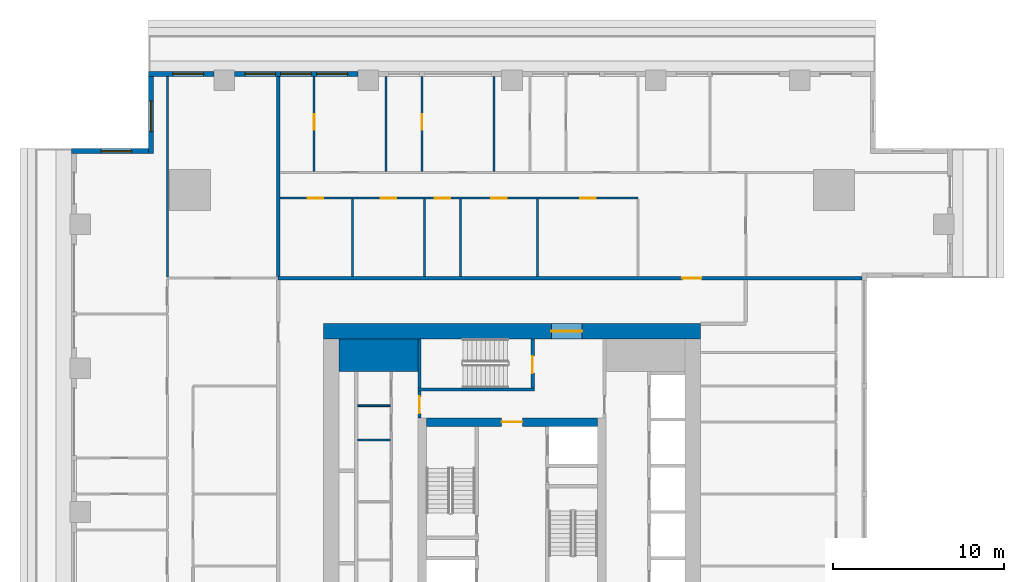
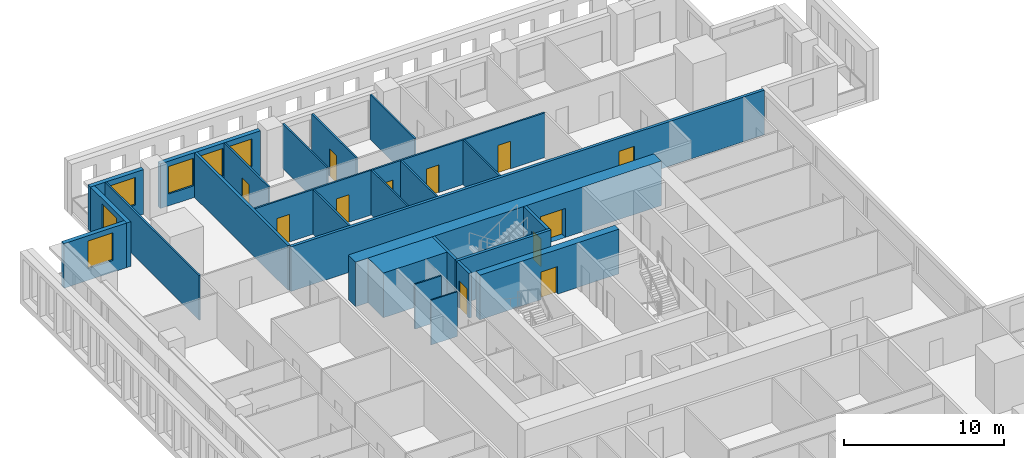
# One storey, part 7 of 15: 25 walls, 12 doors, 6 windows, 18 openings.
"""IFC4 building model written with IfcOpenShell, lengths in metres."""

from ifc_helpers import new_model, si_unit, direction, frame, frame_2d, origin, place, context, subcontext, project, spatial, rectangle, extrude, material, layer, layer_set, type_object, element, fill, save


model = new_model("IFC4")

# Units and contexts
model_context = context("Model", 3, precision=1e-05, world=origin(), true_north=direction((0.0, 1.0)))
body_context = subcontext(model_context, "Body", "Model", "MODEL_VIEW")
ifc_project = project(units=[si_unit("LENGTHUNIT", "METRE"), si_unit("AREAUNIT", "SQUARE_METRE"), si_unit("VOLUMEUNIT", "CUBIC_METRE"), si_unit("PLANEANGLEUNIT", "RADIAN"), si_unit("MASSUNIT", "GRAM", prefix="KILO")], contexts=[model_context])

# Site, building, storey
site_placement = place(None, origin())
site = spatial("IfcSite", under=ifc_project, at=site_placement, CompositionType="ELEMENT")
building_placement = place(site_placement, origin())
building = spatial("IfcBuilding", under=site, at=building_placement, Name="Khepri Terraces", CompositionType="ELEMENT")
storey_placement = place(building_placement, frame((0.0, 0.0, 231.300048828125)))
storey = spatial("IfcBuildingStorey", under=building, at=storey_placement, Name="L55", CompositionType="ELEMENT", Elevation=231.300048828125)

# Walls
ifc_material_1 = material(Name="Concrete C50/60", Category="concrete")
ifc_layer_1 = layer(ifc_material_1, 1.89990234375, Name="Concrete C50/60", Category="concrete")
ifc_layer_set_1 = layer_set([ifc_layer_1], Name="Concrete C50/60")
wall_type_1 = type_object("IfcWallType", Name="Core wall 1900 C50/60", PredefinedType="SHEAR", material=ifc_layer_set_1)
wall_1_placement = place(storey_placement, frame((-10.10009765625, 9.14990234375, 0.0), z_axis=(0.0, 0.0, 1.0), x_axis=(1.0, 0.0, 0.0)))
element("IfcWall", 1, at=wall_1_placement, inside=storey, type_object=wall_type_1, Name="Core wall PR03 L55", PredefinedType="SHEAR", context=body_context, shape_type="SweptSolid", body=[
    extrude(rectangle(XDim=4.60009765625, YDim=1.89990234375, at=frame_2d((2.300048828125, 0.0))), origin(), (0.0, 0.0, 1.0), 3.39990234375),
])
ifc_layer_2 = layer(ifc_material_1, 0.199951171875, Name="Concrete C50/60", Category="concrete")
ifc_layer_set_2 = layer_set([ifc_layer_2], Name="Concrete C50/60")
wall_type_2 = type_object("IfcWallType", Name="Core wall 200 C50/60", PredefinedType="SHEAR", material=ifc_layer_set_2)
wall_2_placement = place(storey_placement, frame((-5.5, 7.14990234375, 0.0), z_axis=(0.0, 0.0, 1.0), x_axis=(1.0, 0.0, 0.0)))
element("IfcWall", 2, at=wall_2_placement, inside=storey, type_object=wall_type_2, Name="Core wall ST05 L55", PredefinedType="SHEAR", context=body_context, shape_type="SweptSolid", body=[
    extrude(rectangle(XDim=6.800048828125, YDim=0.199951171875, at=frame_2d((3.39990234375, 0.0))), origin(), (0.0, 0.0, 1.0), 3.39990234375),
])
wall_3_placement = place(storey_placement, frame((-5.39990234375, 7.25, 0.0), z_axis=(0.0, 0.0, 1.0), x_axis=(0.0, 1.0, 0.0)))
element("IfcWall", 3, at=wall_3_placement, inside=storey, type_object=wall_type_2, Name="Core wall ST06 L55", PredefinedType="SHEAR", context=body_context, shape_type="SweptSolid", body=[
    extrude(rectangle(XDim=2.85009765625, YDim=0.199951171875, at=frame_2d((1.425048828125, 0.0))), origin(), (0.0, 0.0, 1.0), 3.39990234375),
])

# Wall, opening, door
wall_4_placement = place(storey_placement, frame((1.199951171875, 7.25, 0.0), z_axis=(0.0, 0.0, 1.0), x_axis=(0.0, 1.0, 0.0)))
wall_4 = element("IfcWall", 4, at=wall_4_placement, inside=storey, type_object=wall_type_2, Name="Core wall ST07 L55", PredefinedType="SHEAR", context=body_context, shape_type="SweptSolid", body=[
    extrude(rectangle(XDim=2.85009765625, YDim=0.199951171875, at=frame_2d((1.425048828125, 0.0))), origin(), (0.0, 0.0, 1.0), 3.39990234375),
])
opening_1_placement = place(wall_4_placement, frame((0.85009765625, 0.0, 0.0)))
opening_1 = element("IfcOpeningElement", 5, at=opening_1_placement, cuts=wall_4, Name="Opening L55-C15", PredefinedType="OPENING", context=body_context, shape_type="SweptSolid", body=[
    extrude(rectangle(XDim=1.0, YDim=2.10009765625, at=frame_2d((0.5, 1.050048828125))), frame((0.0, 0.10986328125, 0.0), z_axis=(0.0, -1.0, 0.0), x_axis=(1.0, 0.0, 0.0)), (0.0, 0.0, 1.0), 0.219970703125),
])
ifc_material_2 = material(Name="Painted steel", Category="steel")
door_type_1 = type_object("IfcDoorType", Name="DR-CORE-STAIR-1000", OperationType="NOTDEFINED", PredefinedType="DOOR", material=ifc_material_2)
door_1_placement = place(opening_1_placement, origin())
door_1 = element("IfcDoor", 6, at=door_1_placement, inside=storey, type_object=door_type_1, Name="Stair door L55-C15", OperationType="SINGLE_SWING_LEFT", OverallHeight=2.10009765625, OverallWidth=1.0, PredefinedType="DOOR", context=body_context, shape_type="SweptSolid", body=[
    extrude(rectangle(XDim=1.0, YDim=2.10009765625, at=frame_2d((0.5, 1.050048828125))), frame((0.0, 0.02490234375, 0.0), z_axis=(0.0, -1.0, 0.0), x_axis=(1.0, 0.0, 0.0)), (0.0, 0.0, 1.0), 0.050048828125),
])
fill(opening_1, door_1)

ifc_layer_3 = layer(ifc_material_1, 0.5, Name="Concrete C50/60", Category="concrete")
ifc_layer_set_3 = layer_set([ifc_layer_3], Name="Concrete C50/60")
wall_type_3 = type_object("IfcWallType", Name="Core wall 500 C50/60", PredefinedType="SHEAR", material=ifc_layer_set_3)
wall_5_placement = place(storey_placement, frame((-5.0, 5.25, 0.0), z_axis=(0.0, 0.0, 1.0), x_axis=(1.0, 0.0, 0.0)))
wall_5 = element("IfcWall", 7, at=wall_5_placement, inside=storey, type_object=wall_type_3, Name="Core wall BX04 L55", PredefinedType="SHEAR", context=body_context, shape_type="SweptSolid", body=[
    extrude(rectangle(XDim=10.0, YDim=0.5, at=frame_2d((5.0, 0.0))), origin(), (0.0, 0.0, 1.0), 3.39990234375),
])
opening_2_placement = place(wall_5_placement, frame((4.39990234375, 0.0, 0.0)))
opening_2 = element("IfcOpeningElement", 8, at=opening_2_placement, cuts=wall_5, Name="Opening L55-C13", PredefinedType="OPENING", context=body_context, shape_type="SweptSolid", body=[
    extrude(rectangle(XDim=1.199951171875, YDim=2.10009765625, at=frame_2d((0.60009765625, 1.050048828125))), frame((0.0, 0.260009765625, 0.0), z_axis=(0.0, -1.0, 0.0), x_axis=(1.0, 0.0, 0.0)), (0.0, 0.0, 1.0), 0.52001953125),
])
door_type_2 = type_object("IfcDoorType", Name="DR-CORE-FF-LOBBY-1200", OperationType="NOTDEFINED", PredefinedType="DOOR", material=ifc_material_2)
door_2_placement = place(opening_2_placement, frame((1.199951171875, 0.0, 0.0), z_axis=(0.0, 0.0, 1.0), x_axis=(-1.0, 0.0, 0.0)))
door_2 = element("IfcDoor", 9, at=door_2_placement, inside=storey, type_object=door_type_2, Name="Firefighting lobby door L55-C13", OperationType="SINGLE_SWING_LEFT", OverallHeight=2.10009765625, OverallWidth=1.199951171875, PredefinedType="DOOR", context=body_context, shape_type="SweptSolid", body=[
    extrude(rectangle(XDim=1.199951171875, YDim=2.10009765625, at=frame_2d((0.60009765625, 1.050048828125))), frame((0.0, 0.02490234375, 0.0), z_axis=(0.0, -1.0, 0.0), x_axis=(1.0, 0.0, 0.0)), (0.0, 0.0, 1.0), 0.050048828125),
])
fill(opening_2, door_2)

ifc_layer_4 = layer(ifc_material_1, 0.89990234375, Name="Concrete C50/60", Category="concrete")
ifc_layer_set_4 = layer_set([ifc_layer_4], Name="Concrete C50/60")
wall_type_4 = type_object("IfcWallType", Name="Core wall 900 C50/60", PredefinedType="SHEAR", material=ifc_layer_set_4)
wall_6_placement = place(storey_placement, frame((-11.0, 10.550048828125, 0.0), z_axis=(0.0, 0.0, 1.0), x_axis=(1.0, 0.0, 0.0)))
wall_6 = element("IfcWall", 10, at=wall_6_placement, inside=storey, type_object=wall_type_4, Name="Core wall OW-N L55", PredefinedType="SHEAR", context=body_context, shape_type="SweptSolid", body=[
    extrude(rectangle(XDim=22.0, YDim=0.89990234375, at=frame_2d((11.0, 0.0))), origin(), (0.0, 0.0, 1.0), 3.39990234375),
])
opening_3_placement = place(wall_6_placement, frame((13.300048828125, 0.0, 0.0)))
opening_3 = element("IfcOpeningElement", 11, at=opening_3_placement, cuts=wall_6, Name="Opening L55-C20", PredefinedType="OPENING", context=body_context, shape_type="SweptSolid", body=[
    extrude(rectangle(XDim=1.800048828125, YDim=2.199951171875, at=frame_2d((0.89990234375, 1.10009765625))), frame((0.0, 0.4599609375, 0.0), z_axis=(0.0, -1.0, 0.0), x_axis=(1.0, 0.0, 0.0)), (0.0, 0.0, 1.0), 0.919921875),
])
door_type_3 = type_object("IfcDoorType", Name="DR-CORE-ENTRANCE-1800", OperationType="NOTDEFINED", PredefinedType="DOOR", material=ifc_material_2)
door_3_placement = place(opening_3_placement, origin())
door_3 = element("IfcDoor", 12, at=door_3_placement, inside=storey, type_object=door_type_3, Name="Core entrance door pair L55-C20", OperationType="DOUBLE_DOOR_SINGLE_SWING", OverallHeight=2.199951171875, OverallWidth=1.800048828125, PredefinedType="DOOR", context=body_context, shape_type="SweptSolid", body=[
    extrude(rectangle(XDim=1.800048828125, YDim=2.199951171875, at=frame_2d((0.89990234375, 1.10009765625))), frame((0.0, 0.02490234375, 0.0), z_axis=(0.0, -1.0, 0.0), x_axis=(1.0, 0.0, 0.0)), (0.0, 0.0, 1.0), 0.050048828125),
])
fill(opening_3, door_3)

# Walls
ifc_material_3 = material(Name="Fire-rated gypsum board partition")
ifc_layer_5 = layer(ifc_material_3, 0.10009765625, Name="Fire-rated gypsum board partition")
ifc_layer_set_5 = layer_set([ifc_layer_5], Name="Fire-rated gypsum board partition")
wall_type_5 = type_object("IfcWallType", Name="WL-CORE-PART-100", PredefinedType="PARTITIONING", material=ifc_layer_set_5)
for number, where, z_axis, x_axis, name in (
    (13, (-9.0, 4.199951171875, 0.0), (0.0, 0.0, 1.0), (1.0, 0.0, 0.0), "Core partition PT11 L55"),
    (14, (-9.0, 6.199951171875, 0.0), (0.0, 0.0, 1.0), (1.0, 0.0, 0.0), "Core partition PT14 L55"),
):
    element("IfcWall", number, at=place(storey_placement, frame(where, z_axis=z_axis, x_axis=x_axis)), inside=storey, type_object=wall_type_5, Name=name, PredefinedType="PARTITIONING", context=body_context, shape_type="SweptSolid", body=[
        extrude(rectangle(XDim=1.89990234375, YDim=0.10009765625, at=frame_2d((0.949951171875, 0.0))), origin(), (0.0, 0.0, 1.0), 3.39990234375),
    ])

# Wall, opening, door
ifc_layer_6 = layer(ifc_material_3, 0.199951171875, Name="Fire-rated gypsum board partition")
ifc_layer_set_6 = layer_set([ifc_layer_6], Name="Fire-rated gypsum board partition")
wall_type_6 = type_object("IfcWallType", Name="WL-CORE-PART-200", PredefinedType="PARTITIONING", material=ifc_layer_set_6)
wall_7_placement = place(storey_placement, frame((-5.39990234375, 5.5, 0.0), z_axis=(0.0, 0.0, 1.0), x_axis=(0.0, 1.0, 0.0)))
wall_7 = element("IfcWall", 15, at=wall_7_placement, inside=storey, type_object=wall_type_6, Name="Core partition PT12 L55", PredefinedType="PARTITIONING", context=body_context, shape_type="SweptSolid", body=[
    extrude(rectangle(XDim=1.550048828125, YDim=0.199951171875, at=frame_2d((0.77490234375, 0.0))), origin(), (0.0, 0.0, 1.0), 3.39990234375),
])
opening_4_placement = place(wall_7_placement, frame((0.25, 0.0, 0.0)))
opening_4 = element("IfcOpeningElement", 16, at=opening_4_placement, cuts=wall_7, Name="Opening L55-C16", PredefinedType="OPENING", context=body_context, shape_type="SweptSolid", body=[
    extrude(rectangle(XDim=1.0, YDim=2.10009765625, at=frame_2d((0.5, 1.050048828125))), frame((0.0, 0.10986328125, 0.0), z_axis=(0.0, -1.0, 0.0), x_axis=(1.0, 0.0, 0.0)), (0.0, 0.0, 1.0), 0.219970703125),
])
door_type_4 = type_object("IfcDoorType", Name="DR-CORE-LOBBY-1000", OperationType="NOTDEFINED", PredefinedType="DOOR", material=ifc_material_2)
door_4_placement = place(opening_4_placement, frame((1.0, 0.0, 0.0), z_axis=(0.0, 0.0, 1.0), x_axis=(-1.0, 0.0, 0.0)))
door_4 = element("IfcDoor", 17, at=door_4_placement, inside=storey, type_object=door_type_4, Name="Lobby door L55-C16", OperationType="SINGLE_SWING_RIGHT", OverallHeight=2.10009765625, OverallWidth=1.0, PredefinedType="DOOR", context=body_context, shape_type="SweptSolid", body=[
    extrude(rectangle(XDim=1.0, YDim=2.10009765625, at=frame_2d((0.5, 1.050048828125))), frame((0.0, 0.02490234375, 0.0), z_axis=(0.0, -1.0, 0.0), x_axis=(1.0, 0.0, 0.0)), (0.0, 0.0, 1.0), 0.050048828125),
])
fill(opening_4, door_4)

ifc_material_4 = material(Name="Fire-rated gypsum plasterboard partition, mineral wool")
ifc_layer_7 = layer(ifc_material_4, 0.199951171875, Name="Fire-rated gypsum plasterboard partition, mineral wool")
ifc_layer_set_7 = layer_set([ifc_layer_7], Name="Fire-rated gypsum plasterboard partition, mineral wool")
wall_type_7 = type_object("IfcWallType", Name="WL-CORR-200", PredefinedType="PARTITIONING", material=ifc_layer_set_7)
wall_8_placement = place(storey_placement, frame((-13.64990234375, 13.64990234375, 0.0), z_axis=(0.0, 0.0, 1.0), x_axis=(1.0, 0.0, 0.0)))
wall_8 = element("IfcWall", 18, at=wall_8_placement, inside=storey, type_object=wall_type_7, Name="Partition P-069 L55", PredefinedType="PARTITIONING", context=body_context, shape_type="SweptSolid", body=[
    extrude(rectangle(XDim=34.06982421875, YDim=0.199951171875, at=frame_2d((17.034912109375, 0.0))), origin(), (0.0, 0.0, 1.0), 3.39990234375),
])
opening_5_placement = place(wall_8_placement, frame((23.60009765625, 0.0, 0.0)))
opening_5 = element("IfcOpeningElement", 19, at=opening_5_placement, cuts=wall_8, Name="Opening D1", PredefinedType="OPENING", context=body_context, shape_type="SweptSolid", body=[
    extrude(rectangle(XDim=1.10009765625, YDim=2.39990234375, at=frame_2d((0.550048828125, 1.199951171875))), frame((0.0, 0.10986328125, 0.0), z_axis=(0.0, -1.0, 0.0), x_axis=(1.0, 0.0, 0.0)), (0.0, 0.0, 1.0), 0.219970703125),
])
ifc_material_5 = material(Name="Solid-core timber door leaf, flat entrance door", Category="wood")
door_type_5 = type_object("IfcDoorType", Name="DR-ENT-1100", OperationType="NOTDEFINED", PredefinedType="DOOR", material=ifc_material_5)
door_5_placement = place(opening_5_placement, origin())
door_5 = element("IfcDoor", 20, at=door_5_placement, inside=storey, type_object=door_type_5, Name="Flat C1 entrance door", OperationType="SINGLE_SWING_RIGHT", OverallHeight=2.39990234375, OverallWidth=1.10009765625, PredefinedType="DOOR", context=body_context, shape_type="SweptSolid", body=[
    extrude(rectangle(XDim=1.10009765625, YDim=2.39990234375, at=frame_2d((0.550048828125, 1.199951171875))), frame((0.0, 0.02490234375, 0.0), z_axis=(0.0, -1.0, 0.0), x_axis=(1.0, 0.0, 0.0)), (0.0, 0.0, 1.0), 0.050048828125),
])
fill(opening_5, door_5)

# Wall
wall_9_placement = place(storey_placement, frame((-13.64990234375, 13.75, 0.0), z_axis=(0.0, 0.0, 1.0), x_axis=(0.0, 1.0, 0.0)))
element("IfcWall", 21, at=wall_9_placement, inside=storey, type_object=wall_type_7, Name="Partition P-071 L55", PredefinedType="PARTITIONING", context=body_context, shape_type="SweptSolid", body=[
    extrude(rectangle(XDim=11.669921875, YDim=0.199951171875, at=frame_2d((5.8349609375, 0.0))), origin(), (0.0, 0.0, 1.0), 3.39990234375),
])

# Wall, openings, windows
ifc_material_6 = material(Name="Precast concrete C50/60 warm stone", Category="masonry")
ifc_layer_8 = layer(ifc_material_6, 0.300048828125, Name="Precast concrete C50/60 warm stone", Category="masonry")
ifc_layer_set_8 = layer_set([ifc_layer_8], Name="Precast concrete C50/60 warm stone")
wall_type_8 = type_object("IfcWallType", Name="WL-EXT-PRECAST-300", PredefinedType="STANDARD", material=ifc_layer_set_8)
wall_10_placement = place(storey_placement, frame((-9.0, 25.570068359375, 0.0), z_axis=(0.0, 0.0, 1.0), x_axis=(-1.0, 0.0, 0.0)))
wall_10 = element("IfcWall", 22, at=wall_10_placement, inside=storey, type_object=wall_type_8, Name="External wall L55 N", PredefinedType="STANDARD", context=body_context, shape_type="SweptSolid", body=[
    extrude(rectangle(XDim=7.199951171875, YDim=0.300048828125, at=frame_2d((3.60009765625, 0.0))), origin(), (0.0, 0.0, 1.0), 3.39990234375),
])
opening_6_placement = place(wall_10_placement, frame((0.60009765625, 0.0, 0.89990234375)))
opening_6 = element("IfcOpeningElement", 23, at=opening_6_placement, cuts=wall_10, Name="Opening W1", PredefinedType="OPENING", context=body_context, shape_type="SweptSolid", body=[
    extrude(rectangle(XDim=1.800048828125, YDim=2.10009765625, at=frame_2d((0.89990234375, 1.050048828125))), frame((0.0, 0.16015625, 0.0), z_axis=(0.0, -1.0, 0.0), x_axis=(1.0, 0.0, 0.0)), (0.0, 0.0, 1.0), 0.320068359375),
])
opening_7_placement = place(wall_10_placement, frame((2.699951171875, 0.0, 0.89990234375)))
opening_7 = element("IfcOpeningElement", 24, at=opening_7_placement, cuts=wall_10, Name="Opening W1", PredefinedType="OPENING", context=body_context, shape_type="SweptSolid", body=[
    extrude(rectangle(XDim=1.800048828125, YDim=2.10009765625, at=frame_2d((0.89990234375, 1.050048828125))), frame((0.0, 0.16015625, 0.0), z_axis=(0.0, -1.0, 0.0), x_axis=(1.0, 0.0, 0.0)), (0.0, 0.0, 1.0), 0.320068359375),
])
opening_8_placement = place(wall_10_placement, frame((4.800048828125, 0.0, 0.89990234375)))
opening_8 = element("IfcOpeningElement", 25, at=opening_8_placement, cuts=wall_10, Name="Opening W1", PredefinedType="OPENING", context=body_context, shape_type="SweptSolid", body=[
    extrude(rectangle(XDim=1.800048828125, YDim=2.10009765625, at=frame_2d((0.89990234375, 1.050048828125))), frame((0.0, 0.16015625, 0.0), z_axis=(0.0, -1.0, 0.0), x_axis=(1.0, 0.0, 0.0)), (0.0, 0.0, 1.0), 0.320068359375),
])
ifc_material_7 = material(Name="Clear glass", Category="glass")
window_type = type_object("IfcWindowType", Name="WIN-RES-1800x2100", PartitioningType="SINGLE_PANEL", PredefinedType="WINDOW", material=ifc_material_7)
window_1_placement = place(opening_6_placement, origin())
window_1 = element("IfcWindow", 26, at=window_1_placement, inside=storey, type_object=window_type, Name="Window L55 N", OverallHeight=2.10009765625, OverallWidth=1.800048828125, PartitioningType="SINGLE_PANEL", PredefinedType="WINDOW", context=body_context, shape_type="SweptSolid", body=[
    extrude(rectangle(XDim=1.800048828125, YDim=2.10009765625, at=frame_2d((0.89990234375, 1.050048828125))), frame((0.0, 0.030029296875, 0.0), z_axis=(0.0, -1.0, 0.0), x_axis=(1.0, 0.0, 0.0)), (0.0, 0.0, 1.0), 0.06005859375),
])
fill(opening_6, window_1)
window_2_placement = place(opening_7_placement, origin())
window_2 = element("IfcWindow", 27, at=window_2_placement, inside=storey, type_object=window_type, Name="Window L55 N", OverallHeight=2.10009765625, OverallWidth=1.800048828125, PartitioningType="SINGLE_PANEL", PredefinedType="WINDOW", context=body_context, shape_type="SweptSolid", body=[
    extrude(rectangle(XDim=1.800048828125, YDim=2.10009765625, at=frame_2d((0.89990234375, 1.050048828125))), frame((0.0, 0.030029296875, 0.0), z_axis=(0.0, -1.0, 0.0), x_axis=(1.0, 0.0, 0.0)), (0.0, 0.0, 1.0), 0.06005859375),
])
fill(opening_7, window_2)
window_3_placement = place(opening_8_placement, origin())
window_3 = element("IfcWindow", 28, at=window_3_placement, inside=storey, type_object=window_type, Name="Window L55 N", OverallHeight=2.10009765625, OverallWidth=1.800048828125, PartitioningType="SINGLE_PANEL", PredefinedType="WINDOW", context=body_context, shape_type="SweptSolid", body=[
    extrude(rectangle(XDim=1.800048828125, YDim=2.10009765625, at=frame_2d((0.89990234375, 1.050048828125))), frame((0.0, 0.030029296875, 0.0), z_axis=(0.0, -1.0, 0.0), x_axis=(1.0, 0.0, 0.0)), (0.0, 0.0, 1.0), 0.06005859375),
])
fill(opening_8, window_3)

# Wall, opening, window
wall_11_placement = place(storey_placement, frame((-17.39990234375, 25.570068359375, 0.0), z_axis=(0.0, 0.0, 1.0), x_axis=(-1.0, 0.0, 0.0)))
wall_11 = element("IfcWall", 29, at=wall_11_placement, inside=storey, type_object=wall_type_8, Name="External wall L55 N", PredefinedType="STANDARD", context=body_context, shape_type="SweptSolid", body=[
    extrude(rectangle(XDim=3.820068359375, YDim=0.300048828125, at=frame_2d((1.91015625, 0.0))), origin(), (0.0, 0.0, 1.0), 3.39990234375),
])
opening_9_placement = place(wall_11_placement, frame((0.60009765625, 0.0, 0.89990234375)))
opening_9 = element("IfcOpeningElement", 30, at=opening_9_placement, cuts=wall_11, Name="Opening W1", PredefinedType="OPENING", context=body_context, shape_type="SweptSolid", body=[
    extrude(rectangle(XDim=1.800048828125, YDim=2.10009765625, at=frame_2d((0.89990234375, 1.050048828125))), frame((0.0, 0.16015625, 0.0), z_axis=(0.0, -1.0, 0.0), x_axis=(1.0, 0.0, 0.0)), (0.0, 0.0, 1.0), 0.320068359375),
])
window_4_placement = place(opening_9_placement, origin())
window_4 = element("IfcWindow", 31, at=window_4_placement, inside=storey, type_object=window_type, Name="Window L55 N", OverallHeight=2.10009765625, OverallWidth=1.800048828125, PartitioningType="SINGLE_PANEL", PredefinedType="WINDOW", context=body_context, shape_type="SweptSolid", body=[
    extrude(rectangle(XDim=1.800048828125, YDim=2.10009765625, at=frame_2d((0.89990234375, 1.050048828125))), frame((0.0, 0.030029296875, 0.0), z_axis=(0.0, -1.0, 0.0), x_axis=(1.0, 0.0, 0.0)), (0.0, 0.0, 1.0), 0.06005859375),
])
fill(opening_9, window_4)

wall_12_placement = place(storey_placement, frame((-21.070068359375, 25.419921875, 0.0), z_axis=(0.0, 0.0, 1.0), x_axis=(0.0, -1.0, 0.0)))
wall_12 = element("IfcWall", 32, at=wall_12_placement, inside=storey, type_object=wall_type_8, Name="External wall L55 W", PredefinedType="STANDARD", context=body_context, shape_type="SweptSolid", body=[
    extrude(rectangle(XDim=4.5, YDim=0.300048828125, at=frame_2d((2.25, 0.0))), origin(), (0.0, 0.0, 1.0), 3.39990234375),
])
opening_10_placement = place(wall_12_placement, frame((1.419921875, 0.0, 0.89990234375)))
opening_10 = element("IfcOpeningElement", 33, at=opening_10_placement, cuts=wall_12, Name="Opening W1", PredefinedType="OPENING", context=body_context, shape_type="SweptSolid", body=[
    extrude(rectangle(XDim=1.800048828125, YDim=2.10009765625, at=frame_2d((0.89990234375, 1.050048828125))), frame((0.0, 0.16015625, 0.0), z_axis=(0.0, -1.0, 0.0), x_axis=(1.0, 0.0, 0.0)), (0.0, 0.0, 1.0), 0.320068359375),
])
window_5_placement = place(opening_10_placement, origin())
window_5 = element("IfcWindow", 34, at=window_5_placement, inside=storey, type_object=window_type, Name="Window L55 W", OverallHeight=2.10009765625, OverallWidth=1.800048828125, PartitioningType="SINGLE_PANEL", PredefinedType="WINDOW", context=body_context, shape_type="SweptSolid", body=[
    extrude(rectangle(XDim=1.800048828125, YDim=2.10009765625, at=frame_2d((0.89990234375, 1.050048828125))), frame((0.0, 0.030029296875, 0.0), z_axis=(0.0, -1.0, 0.0), x_axis=(1.0, 0.0, 0.0)), (0.0, 0.0, 1.0), 0.06005859375),
])
fill(opening_10, window_5)

wall_13_placement = place(storey_placement, frame((-21.219970703125, 21.070068359375, 0.0), z_axis=(0.0, 0.0, 1.0), x_axis=(-1.0, 0.0, 0.0)))
wall_13 = element("IfcWall", 35, at=wall_13_placement, inside=storey, type_object=wall_type_8, Name="External wall L55 N", PredefinedType="STANDARD", context=body_context, shape_type="SweptSolid", body=[
    extrude(rectangle(XDim=4.5, YDim=0.300048828125, at=frame_2d((2.25, 0.0))), origin(), (0.0, 0.0, 1.0), 3.39990234375),
])
opening_11_placement = place(wall_13_placement, frame((0.97998046875, 0.0, 0.89990234375)))
opening_11 = element("IfcOpeningElement", 36, at=opening_11_placement, cuts=wall_13, Name="Opening W1", PredefinedType="OPENING", context=body_context, shape_type="SweptSolid", body=[
    extrude(rectangle(XDim=1.800048828125, YDim=2.10009765625, at=frame_2d((0.89990234375, 1.050048828125))), frame((0.0, 0.16015625, 0.0), z_axis=(0.0, -1.0, 0.0), x_axis=(1.0, 0.0, 0.0)), (0.0, 0.0, 1.0), 0.320068359375),
])
window_6_placement = place(opening_11_placement, origin())
window_6 = element("IfcWindow", 37, at=window_6_placement, inside=storey, type_object=window_type, Name="Window L55 N", OverallHeight=2.10009765625, OverallWidth=1.800048828125, PartitioningType="SINGLE_PANEL", PredefinedType="WINDOW", context=body_context, shape_type="SweptSolid", body=[
    extrude(rectangle(XDim=1.800048828125, YDim=2.10009765625, at=frame_2d((0.89990234375, 1.050048828125))), frame((0.0, 0.030029296875, 0.0), z_axis=(0.0, -1.0, 0.0), x_axis=(1.0, 0.0, 0.0)), (0.0, 0.0, 1.0), 0.06005859375),
])
fill(opening_11, window_6)

# Walls
ifc_material_8 = material(Name="Gypsum plasterboard partition")
ifc_layer_9 = layer(ifc_material_8, 0.1201171875, Name="Gypsum plasterboard partition")
ifc_layer_set_9 = layer_set([ifc_layer_9], Name="Gypsum plasterboard partition")
wall_type_9 = type_object("IfcWallType", Name="WL-PART-120", PredefinedType="PARTITIONING", material=ifc_layer_set_9)
wall_14_placement = place(storey_placement, frame((-20.1201171875, 13.7099609375, 0.0), z_axis=(0.0, 0.0, 1.0), x_axis=(0.0, 1.0, 0.0)))
element("IfcWall", 38, at=wall_14_placement, inside=storey, type_object=wall_type_9, Name="Partition P-070 L55", PredefinedType="PARTITIONING", context=body_context, shape_type="SweptSolid", body=[
    extrude(rectangle(XDim=11.7099609375, YDim=0.1201171875, at=frame_2d((5.85498046875, 0.0))), origin(), (0.0, 0.0, 1.0), 3.39990234375),
])
for number, where, z_axis, x_axis, name in (
    (39, (-9.300048828125, 13.75, 0.0), (0.0, 0.0, 1.0), (0.0, 1.0, 0.0), "Partition P-072 L55"),
    (40, (-5.10009765625, 13.75, 0.0), (0.0, 0.0, 1.0), (0.0, 1.0, 0.0), "Partition P-073 L55"),
    (41, (-3.0, 13.75, 0.0), (0.0, 0.0, 1.0), (0.0, 1.0, 0.0), "Partition P-074 L55"),
    (42, (1.5, 13.75, 0.0), (0.0, 0.0, 1.0), (0.0, 1.0, 0.0), "Partition P-075 L55"),
):
    element("IfcWall", number, at=place(storey_placement, frame(where, z_axis=z_axis, x_axis=x_axis)), inside=storey, type_object=wall_type_9, Name=name, PredefinedType="PARTITIONING", context=body_context, shape_type="SweptSolid", body=[
        extrude(rectangle(XDim=4.510009765625, YDim=0.1201171875, at=frame_2d((2.2548828125, 0.0))), origin(), (0.0, 0.0, 1.0), 3.39990234375),
    ])

# Wall, openings, doors
wall_15_placement = place(storey_placement, frame((-13.550048828125, 18.320068359375, 0.0), z_axis=(0.0, 0.0, 1.0), x_axis=(1.0, 0.0, 0.0)))
wall_15 = element("IfcWall", 43, at=wall_15_placement, inside=storey, type_object=wall_type_9, Name="Partition P-078 L55", PredefinedType="PARTITIONING", context=body_context, shape_type="SweptSolid", body=[
    extrude(rectangle(XDim=20.900146484375, YDim=0.1201171875, at=frame_2d((10.4501953125, 0.0))), origin(), (0.0, 0.0, 1.0), 3.39990234375),
])
opening_12_placement = place(wall_15_placement, frame((17.52490234375, 0.0, 0.0)))
opening_12 = element("IfcOpeningElement", 44, at=opening_12_placement, cuts=wall_15, Name="Opening D3", PredefinedType="OPENING", context=body_context, shape_type="SweptSolid", body=[
    extrude(rectangle(XDim=0.89990234375, YDim=2.10009765625, at=frame_2d((0.449951171875, 1.050048828125))), frame((0.0, 0.070068359375, 0.0), z_axis=(0.0, -1.0, 0.0), x_axis=(1.0, 0.0, 0.0)), (0.0, 0.0, 1.0), 0.14013671875),
])
opening_13_placement = place(wall_15_placement, frame((12.35009765625, 0.0, 0.0)))
opening_13 = element("IfcOpeningElement", 45, at=opening_13_placement, cuts=wall_15, Name="Opening D3", PredefinedType="OPENING", context=body_context, shape_type="SweptSolid", body=[
    extrude(rectangle(XDim=0.89990234375, YDim=2.10009765625, at=frame_2d((0.449951171875, 1.050048828125))), frame((0.0, 0.070068359375, 0.0), z_axis=(0.0, -1.0, 0.0), x_axis=(1.0, 0.0, 0.0)), (0.0, 0.0, 1.0), 0.14013671875),
])
opening_14_placement = place(wall_15_placement, frame((9.050048828125, 0.0, 0.0)))
opening_14 = element("IfcOpeningElement", 46, at=opening_14_placement, cuts=wall_15, Name="Opening D4", PredefinedType="OPENING", context=body_context, shape_type="SweptSolid", body=[
    extrude(rectangle(XDim=0.89990234375, YDim=2.10009765625, at=frame_2d((0.449951171875, 1.050048828125))), frame((0.0, 0.070068359375, 0.0), z_axis=(0.0, -1.0, 0.0), x_axis=(1.0, 0.0, 0.0)), (0.0, 0.0, 1.0), 0.14013671875),
])
opening_15_placement = place(wall_15_placement, frame((5.89990234375, 0.0, 0.0)))
opening_15 = element("IfcOpeningElement", 47, at=opening_15_placement, cuts=wall_15, Name="Opening D3", PredefinedType="OPENING", context=body_context, shape_type="SweptSolid", body=[
    extrude(rectangle(XDim=0.89990234375, YDim=2.10009765625, at=frame_2d((0.449951171875, 1.050048828125))), frame((0.0, 0.070068359375, 0.0), z_axis=(0.0, -1.0, 0.0), x_axis=(1.0, 0.0, 0.0)), (0.0, 0.0, 1.0), 0.14013671875),
])
opening_16_placement = place(wall_15_placement, frame((1.625, 0.0, 0.0)))
opening_16 = element("IfcOpeningElement", 48, at=opening_16_placement, cuts=wall_15, Name="Opening D4", PredefinedType="OPENING", context=body_context, shape_type="SweptSolid", body=[
    extrude(rectangle(XDim=0.89990234375, YDim=2.10009765625, at=frame_2d((0.449951171875, 1.050048828125))), frame((0.0, 0.070068359375, 0.0), z_axis=(0.0, -1.0, 0.0), x_axis=(1.0, 0.0, 0.0)), (0.0, 0.0, 1.0), 0.14013671875),
])
ifc_material_9 = material(Name="Timber door leaf", Category="wood")
door_type_6 = type_object("IfcDoorType", Name="DR-INT-900", OperationType="NOTDEFINED", PredefinedType="DOOR", material=ifc_material_9)
door_6_placement = place(opening_12_placement, frame((0.89990234375, 0.0, 0.0), z_axis=(0.0, 0.0, 1.0), x_axis=(-1.0, 0.0, 0.0)))
door_6 = element("IfcDoor", 49, at=door_6_placement, inside=storey, type_object=door_type_6, Name="Door Kitchen", OperationType="SINGLE_SWING_LEFT", OverallHeight=2.10009765625, OverallWidth=0.89990234375, PredefinedType="DOOR", context=body_context, shape_type="SweptSolid", body=[
    extrude(rectangle(XDim=0.89990234375, YDim=2.10009765625, at=frame_2d((0.449951171875, 1.050048828125))), frame((0.0, 0.02490234375, 0.0), z_axis=(0.0, -1.0, 0.0), x_axis=(1.0, 0.0, 0.0)), (0.0, 0.0, 1.0), 0.050048828125),
])
fill(opening_12, door_6)
door_7_placement = place(opening_13_placement, frame((0.89990234375, 0.0, 0.0), z_axis=(0.0, 0.0, 1.0), x_axis=(-1.0, 0.0, 0.0)))
door_7 = element("IfcDoor", 50, at=door_7_placement, inside=storey, type_object=door_type_6, Name="Door Service Store", OperationType="SINGLE_SWING_LEFT", OverallHeight=2.10009765625, OverallWidth=0.89990234375, PredefinedType="DOOR", context=body_context, shape_type="SweptSolid", body=[
    extrude(rectangle(XDim=0.89990234375, YDim=2.10009765625, at=frame_2d((0.449951171875, 1.050048828125))), frame((0.0, 0.02490234375, 0.0), z_axis=(0.0, -1.0, 0.0), x_axis=(1.0, 0.0, 0.0)), (0.0, 0.0, 1.0), 0.050048828125),
])
fill(opening_13, door_7)
door_8_placement = place(opening_15_placement, frame((0.89990234375, 0.0, 0.0), z_axis=(0.0, 0.0, 1.0), x_axis=(-1.0, 0.0, 0.0)))
door_8 = element("IfcDoor", 51, at=door_8_placement, inside=storey, type_object=door_type_6, Name="Door Utility Room", OperationType="SINGLE_SWING_RIGHT", OverallHeight=2.10009765625, OverallWidth=0.89990234375, PredefinedType="DOOR", context=body_context, shape_type="SweptSolid", body=[
    extrude(rectangle(XDim=0.89990234375, YDim=2.10009765625, at=frame_2d((0.449951171875, 1.050048828125))), frame((0.0, 0.02490234375, 0.0), z_axis=(0.0, -1.0, 0.0), x_axis=(1.0, 0.0, 0.0)), (0.0, 0.0, 1.0), 0.050048828125),
])
fill(opening_15, door_8)
ifc_material_10 = material(Name="Timber door leaf, moisture resistant", Category="wood")
door_type_7 = type_object("IfcDoorType", Name="DR-WET-900", OperationType="NOTDEFINED", PredefinedType="DOOR", material=ifc_material_10)
door_9_placement = place(opening_14_placement, frame((0.89990234375, 0.0, 0.0), z_axis=(0.0, 0.0, 1.0), x_axis=(-1.0, 0.0, 0.0)))
door_9 = element("IfcDoor", 52, at=door_9_placement, inside=storey, type_object=door_type_7, Name="Door Powder Room", OperationType="SINGLE_SWING_RIGHT", OverallHeight=2.10009765625, OverallWidth=0.89990234375, PredefinedType="DOOR", context=body_context, shape_type="SweptSolid", body=[
    extrude(rectangle(XDim=0.89990234375, YDim=2.10009765625, at=frame_2d((0.449951171875, 1.050048828125))), frame((0.0, 0.02490234375, 0.0), z_axis=(0.0, -1.0, 0.0), x_axis=(1.0, 0.0, 0.0)), (0.0, 0.0, 1.0), 0.050048828125),
])
fill(opening_14, door_9)
door_10_placement = place(opening_16_placement, frame((0.89990234375, 0.0, 0.0), z_axis=(0.0, 0.0, 1.0), x_axis=(-1.0, 0.0, 0.0)))
door_10 = element("IfcDoor", 53, at=door_10_placement, inside=storey, type_object=door_type_7, Name="Door Guest Bathroom", OperationType="SINGLE_SWING_RIGHT", OverallHeight=2.10009765625, OverallWidth=0.89990234375, PredefinedType="DOOR", context=body_context, shape_type="SweptSolid", body=[
    extrude(rectangle(XDim=0.89990234375, YDim=2.10009765625, at=frame_2d((0.449951171875, 1.050048828125))), frame((0.0, 0.02490234375, 0.0), z_axis=(0.0, -1.0, 0.0), x_axis=(1.0, 0.0, 0.0)), (0.0, 0.0, 1.0), 0.050048828125),
])
fill(opening_16, door_10)

# Wall, opening, door
wall_16_placement = place(storey_placement, frame((-11.550048828125, 19.8798828125, 0.0), z_axis=(0.0, 0.0, 1.0), x_axis=(0.0, 1.0, 0.0)))
wall_16 = element("IfcWall", 54, at=wall_16_placement, inside=storey, type_object=wall_type_9, Name="Partition P-081 L55", PredefinedType="PARTITIONING", context=body_context, shape_type="SweptSolid", body=[
    extrude(rectangle(XDim=5.5400390625, YDim=0.1201171875, at=frame_2d((2.77001953125, 0.0))), origin(), (0.0, 0.0, 1.0), 3.39990234375),
])
opening_17_placement = place(wall_16_placement, frame((2.43994140625, 0.0, 0.0)))
opening_17 = element("IfcOpeningElement", 55, at=opening_17_placement, cuts=wall_16, Name="Opening D4", PredefinedType="OPENING", context=body_context, shape_type="SweptSolid", body=[
    extrude(rectangle(XDim=0.89990234375, YDim=2.10009765625, at=frame_2d((0.449951171875, 1.050048828125))), frame((0.0, 0.070068359375, 0.0), z_axis=(0.0, -1.0, 0.0), x_axis=(1.0, 0.0, 0.0)), (0.0, 0.0, 1.0), 0.14013671875),
])
door_11_placement = place(opening_17_placement, origin())
door_11 = element("IfcDoor", 56, at=door_11_placement, inside=storey, type_object=door_type_7, Name="Door Bathroom", OperationType="SINGLE_SWING_RIGHT", OverallHeight=2.10009765625, OverallWidth=0.89990234375, PredefinedType="DOOR", context=body_context, shape_type="SweptSolid", body=[
    extrude(rectangle(XDim=0.89990234375, YDim=2.10009765625, at=frame_2d((0.449951171875, 1.050048828125))), frame((0.0, 0.02490234375, 0.0), z_axis=(0.0, -1.0, 0.0), x_axis=(1.0, 0.0, 0.0)), (0.0, 0.0, 1.0), 0.050048828125),
])
fill(opening_17, door_11)

# Wall
wall_17_placement = place(storey_placement, frame((-7.35009765625, 19.8798828125, 0.0), z_axis=(0.0, 0.0, 1.0), x_axis=(0.0, 1.0, 0.0)))
element("IfcWall", 57, at=wall_17_placement, inside=storey, type_object=wall_type_9, Name="Partition P-082 L55", PredefinedType="PARTITIONING", context=body_context, shape_type="SweptSolid", body=[
    extrude(rectangle(XDim=5.5400390625, YDim=0.1201171875, at=frame_2d((2.77001953125, 0.0))), origin(), (0.0, 0.0, 1.0), 3.39990234375),
])

# Wall, opening, door
wall_18_placement = place(storey_placement, frame((-5.25, 19.8798828125, 0.0), z_axis=(0.0, 0.0, 1.0), x_axis=(0.0, 1.0, 0.0)))
wall_18 = element("IfcWall", 58, at=wall_18_placement, inside=storey, type_object=wall_type_9, Name="Partition P-083 L55", PredefinedType="PARTITIONING", context=body_context, shape_type="SweptSolid", body=[
    extrude(rectangle(XDim=5.5400390625, YDim=0.1201171875, at=frame_2d((2.77001953125, 0.0))), origin(), (0.0, 0.0, 1.0), 3.39990234375),
])
opening_18_placement = place(wall_18_placement, frame((2.43994140625, 0.0, 0.0)))
opening_18 = element("IfcOpeningElement", 59, at=opening_18_placement, cuts=wall_18, Name="Opening D4", PredefinedType="OPENING", context=body_context, shape_type="SweptSolid", body=[
    extrude(rectangle(XDim=0.89990234375, YDim=2.10009765625, at=frame_2d((0.449951171875, 1.050048828125))), frame((0.0, 0.070068359375, 0.0), z_axis=(0.0, -1.0, 0.0), x_axis=(1.0, 0.0, 0.0)), (0.0, 0.0, 1.0), 0.14013671875),
])
door_12_placement = place(opening_18_placement, origin())
door_12 = element("IfcDoor", 60, at=door_12_placement, inside=storey, type_object=door_type_7, Name="Door Bathroom", OperationType="SINGLE_SWING_RIGHT", OverallHeight=2.10009765625, OverallWidth=0.89990234375, PredefinedType="DOOR", context=body_context, shape_type="SweptSolid", body=[
    extrude(rectangle(XDim=0.89990234375, YDim=2.10009765625, at=frame_2d((0.449951171875, 1.050048828125))), frame((0.0, 0.02490234375, 0.0), z_axis=(0.0, -1.0, 0.0), x_axis=(1.0, 0.0, 0.0)), (0.0, 0.0, 1.0), 0.050048828125),
])
fill(opening_18, door_12)

# Wall
wall_19_placement = place(storey_placement, frame((-1.050048828125, 19.8798828125, 0.0), z_axis=(0.0, 0.0, 1.0), x_axis=(0.0, 1.0, 0.0)))
element("IfcWall", 61, at=wall_19_placement, inside=storey, type_object=wall_type_9, Name="Partition P-084 L55", PredefinedType="PARTITIONING", context=body_context, shape_type="SweptSolid", body=[
    extrude(rectangle(XDim=5.5400390625, YDim=0.1201171875, at=frame_2d((2.77001953125, 0.0))), origin(), (0.0, 0.0, 1.0), 3.39990234375),
])

save(model, "model.ifc")
